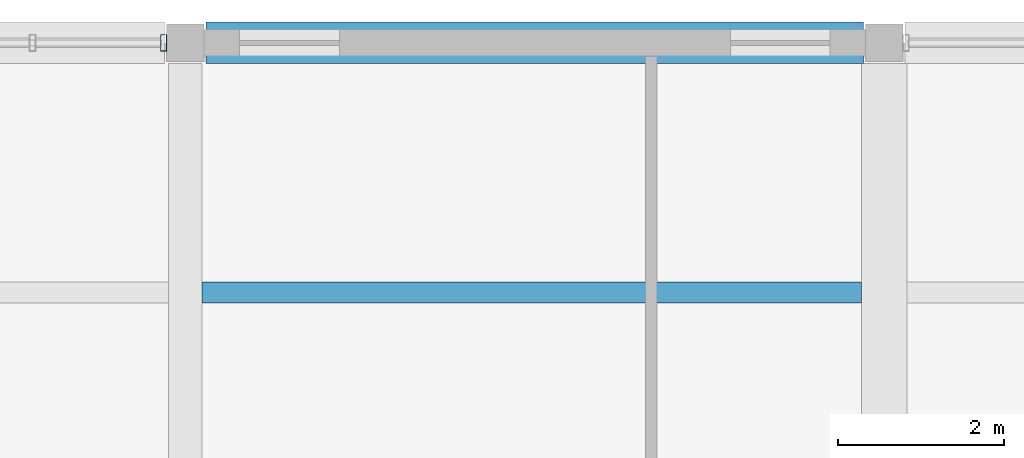
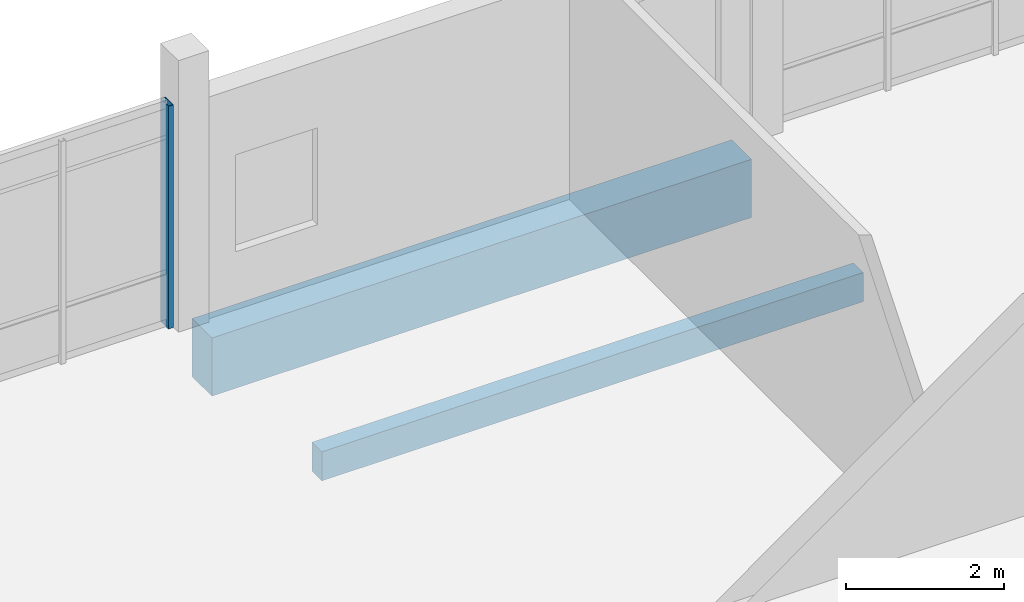
# One storey, part 36 of 62: 2 beams, 1 member, 1 element without a shape of its own.
"""IFC4 building model written with IfcOpenShell, lengths in metres."""

from ifc_helpers import new_model, si_unit, direction, frame, origin, origin_2d, place, context, subcontext, project, spatial, rectangle, hollow_rectangle, extrude, material, layer, layer_set, material_profile, profile_set, type_object, element, aggregate, save


model = new_model("IFC4")

# Units and contexts
model_context = context("Model", 3, precision=1e-05, world=origin(), true_north=direction((0.0, 1.0)))
body_context = subcontext(model_context, "Body", "Model", "MODEL_VIEW")
ifc_project = project(units=[si_unit("LENGTHUNIT", "METRE"), si_unit("AREAUNIT", "SQUARE_METRE"), si_unit("VOLUMEUNIT", "CUBIC_METRE"), si_unit("PLANEANGLEUNIT", "RADIAN"), si_unit("MASSUNIT", "GRAM", prefix="KILO")], contexts=[model_context])

# Site, building, storey
site_placement = place(None, origin())
site = spatial("IfcSite", under=ifc_project, at=site_placement, CompositionType="ELEMENT")
building_placement = place(site_placement, origin())
building = spatial("IfcBuilding", under=site, at=building_placement, Name="Vireocrest Preparatory School", CompositionType="ELEMENT")
storey_placement = place(building_placement, frame((0.0, 0.0, 17.39990234375)))
storey = spatial("IfcBuildingStorey", under=building, at=storey_placement, Name="L04", CompositionType="ELEMENT", Elevation=17.39990234375)

# Curtain wall, member
ifc_material_1 = material(Name="Thermally broken aluminium EN AW-6063-T6", Category="aluminium")
ifc_layer = layer(ifc_material_1, 0.179931640625)
ifc_layer_set = layer_set([ifc_layer], Name="Thermally broken aluminium EN AW-6063-T6")
curtain_wall_type = type_object("IfcCurtainWallType", Name="North Street Curtain Wall 8400x4000", PredefinedType="USERDEFINED", material=ifc_layer_set)
curtain_wall_placement = place(storey_placement, origin())
curtain_wall = element("IfcCurtainWall", 1, at=curtain_wall_placement, inside=storey, type_object=curtain_wall_type, Name="Curtain Wall CW05 CW_L04_CW05_0422_1128_174", ObjectType="CURTAIN WALL", PredefinedType="USERDEFINED")
ifc_material_profile_1 = material_profile(ifc_material_1, hollow_rectangle(XDim=0.074951171875, YDim=0.199951171875, WallThickness=0.0048828125, at=origin_2d()), Name="ALU 75x200x5")
ifc_profile_set_1 = profile_set([ifc_material_profile_1], Name="Thermally broken aluminium EN AW-6063-T6")
member_type = type_object("IfcMemberType", Name="CW Mullion 75x200x5", PredefinedType="MULLION", material=ifc_profile_set_1)
member_placement = place(storey_placement, frame((50.139892578125, 112.800048828125, 0.0), z_axis=(0.0, 0.0, 1.0), x_axis=(1.0, 0.0, 0.0)))
member = element("IfcMember", 2, at=member_placement, type_object=member_type, Name="CW Mullion ML3 CW_L04_CW05_0422_1128_174-6", PredefinedType="MULLION", context=body_context, shape_type="SweptSolid", body=[
    extrude(hollow_rectangle(XDim=0.074951171875, YDim=0.199951171875, WallThickness=0.0048828125, at=origin_2d()), origin(), (0.0, 0.0, 1.0), 3.445068359375),
])
aggregate(curtain_wall, [member])

# Beams
ifc_material_2 = material(Name="Concrete 40 MPa", Category="concrete")
ifc_material_profile_2 = material_profile(ifc_material_2, rectangle(XDim=0.5, YDim=0.89990234375, at=origin_2d()), Name="RC 500x900")
ifc_profile_set_2 = profile_set([ifc_material_profile_2], Name="Concrete 40 MPa")
beam_type_1 = type_object("IfcBeamType", Name="RC Podium Girder 500x900", PredefinedType="BEAM", material=ifc_profile_set_2)
beam_1_placement = place(storey_placement, frame((50.64990234375, 112.800048828125, -0.68994140625), z_axis=(1.0, 0.0, 0.0), x_axis=(0.0, 1.0, 0.0)))
element("IfcBeam", 3, at=beam_1_placement, inside=storey, type_object=beam_type_1, Name="Primary Girder B15 L04-1345", PredefinedType="BEAM", context=body_context, shape_type="SweptSolid", body=[
    extrude(rectangle(XDim=0.5, YDim=0.89990234375, at=origin_2d()), origin(), (0.0, 0.0, 1.0), 7.900146484375),
])
ifc_material_profile_3 = material_profile(ifc_material_2, rectangle(XDim=0.25, YDim=0.449951171875, at=origin_2d()), Name="RC 250x450")
ifc_profile_set_3 = profile_set([ifc_material_profile_3], Name="Concrete 40 MPa")
beam_type_2 = type_object("IfcBeamType", Name="RC Secondary Floor Joist 250x450", PredefinedType="JOIST", material=ifc_profile_set_3)
beam_2_placement = place(storey_placement, frame((50.60009765625, 109.800048828125, -0.46484375), z_axis=(1.0, 0.0, 0.0), x_axis=(0.0, 1.0, 0.0)))
element("IfcBeam", 4, at=beam_2_placement, inside=storey, type_object=beam_type_2, Name="Secondary Joist J01 L04-1452", PredefinedType="JOIST", context=body_context, shape_type="SweptSolid", body=[
    extrude(rectangle(XDim=0.25, YDim=0.449951171875, at=origin_2d()), origin(), (0.0, 0.0, 1.0), 7.9248046875),
])

save(model, "model.ifc")
